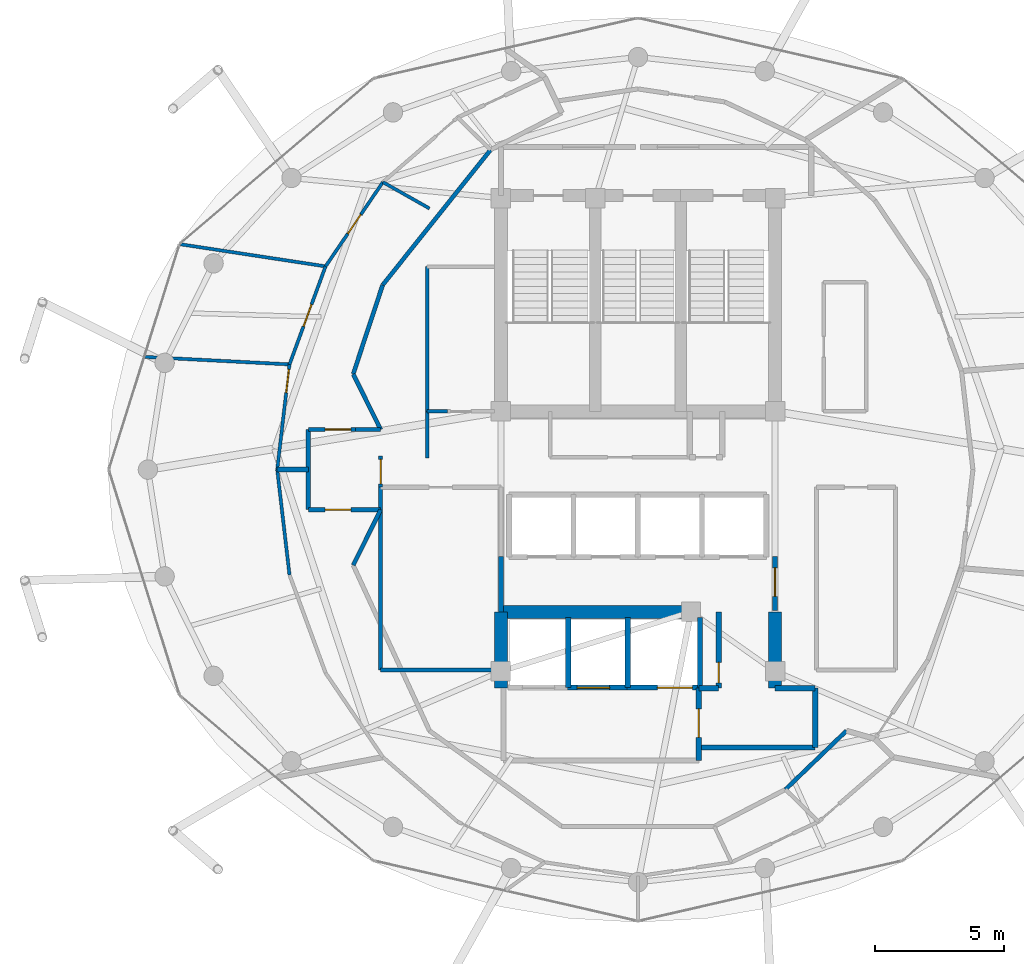
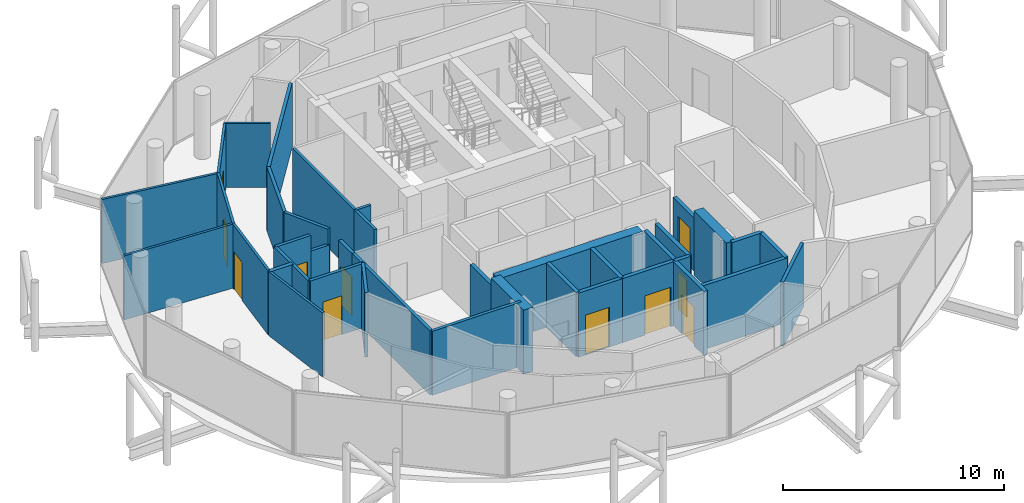
# One storey, part 20 of 24: 39 walls, 11 doors, 11 openings.
"""IFC4 building model written with IfcOpenShell, lengths in metres."""

from ifc_helpers import new_model, si_unit, direction, frame, frame_2d, origin, place, context, subcontext, project, spatial, rectangle, extrude, material, layer, layer_set, type_object, element, fill, save


model = new_model("IFC4")

# Units and contexts
model_context = context("Model", 3, precision=1e-05, world=origin(), true_north=direction((0.0, 1.0)))
body_context = subcontext(model_context, "Body", "Model", "MODEL_VIEW")
ifc_project = project(units=[si_unit("LENGTHUNIT", "METRE"), si_unit("AREAUNIT", "SQUARE_METRE"), si_unit("VOLUMEUNIT", "CUBIC_METRE"), si_unit("PLANEANGLEUNIT", "RADIAN"), si_unit("MASSUNIT", "GRAM", prefix="KILO")], contexts=[model_context])

# Site, building, storey
site_placement = place(None, origin())
site = spatial("IfcSite", under=ifc_project, at=site_placement, CompositionType="ELEMENT")
building_placement = place(site_placement, origin())
building = spatial("IfcBuilding", under=site, at=building_placement, Name="Nuhasar Tower", CompositionType="ELEMENT")
storey_placement = place(building_placement, frame((0.0, 0.0, 278.39990234375)))
storey = spatial("IfcBuildingStorey", under=building, at=storey_placement, Name="L69", CompositionType="ELEMENT", Elevation=278.39990234375)

# Walls
ifc_material_1 = material(Name="Concrete C50/60", Category="concrete")
ifc_layer_1 = layer(ifc_material_1, 0.5)
ifc_layer_set_1 = layer_set([ifc_layer_1], Name="Concrete C50/60")
wall_type_1 = type_object("IfcWallType", Name="WL-CORE-500", PredefinedType="SHEAR", material=ifc_layer_set_1)
for number, where, z_axis, x_axis, name in (
    (1, (33.699951171875, 18.35009765625, 0.0), (0.0, 0.0, 1.0), (0.0, 1.0, 0.0), "L69 Core Shear Wall CW-SW CW-500"),
    (2, (44.300048828125, 18.35009765625, 0.0), (0.0, 0.0, 1.0), (0.0, 1.0, 0.0), "L69 Core Shear Wall CW-SE CW-500"),
):
    element("IfcWall", number, at=place(storey_placement, frame(where, z_axis=z_axis, x_axis=x_axis)), inside=storey, type_object=wall_type_1, Name=name, PredefinedType="SHEAR", context=body_context, shape_type="SweptSolid", body=[
        extrude(rectangle(XDim=2.949951171875, YDim=0.5, at=frame_2d((1.47509765625, 0.0))), origin(), (0.0, 0.0, 1.0), 3.5400390625),
    ])
wall_1_placement = place(storey_placement, frame((33.699951171875, 21.300048828125, 0.0), z_axis=(0.0, 0.0, 1.0), x_axis=(1.0, 0.0, 0.0)))
element("IfcWall", 3, at=wall_1_placement, inside=storey, type_object=wall_type_1, Name="L69 Core Shear Wall CW-S1 CW-500", PredefinedType="SHEAR", context=body_context, shape_type="SweptSolid", body=[
    extrude(rectangle(XDim=7.550048828125, YDim=0.5, at=frame_2d((3.77490234375, 0.0))), origin(), (0.0, 0.0, 1.0), 3.5400390625),
])
ifc_material_2 = material(Name="Gypsum Board", Category="gypsum")
ifc_layer_2 = layer(ifc_material_2, 0.159912109375)
ifc_layer_set_2 = layer_set([ifc_layer_2], Name="Gypsum Board")
wall_type_2 = type_object("IfcWallType", Name="WL-CORR-160", PredefinedType="PARTITIONING", material=ifc_layer_set_2)
wall_2_placement = place(storey_placement, frame((29.050048828125, 19.050048828125, 0.0), z_axis=(0.0, 0.0, 1.0), x_axis=(1.0, 0.0, 0.0)))
element("IfcWall", 4, at=wall_2_placement, inside=storey, type_object=wall_type_2, Name="L69 Interior Partition RECL-B1-S", PredefinedType="PARTITIONING", context=body_context, shape_type="SweptSolid", body=[
    extrude(rectangle(XDim=4.64990234375, YDim=0.159912109375, at=frame_2d((2.324951171875, 0.0))), origin(), (0.0, 0.0, 1.0), 3.5400390625),
])
wall_3_placement = place(storey_placement, frame((29.050048828125, 19.050048828125, 0.0), z_axis=(0.0, 0.0, 1.0), x_axis=(0.0, 1.0, 0.0)))
element("IfcWall", 5, at=wall_3_placement, inside=storey, type_object=wall_type_2, Name="L69 Interior Partition RECL-B1-W", PredefinedType="PARTITIONING", context=body_context, shape_type="SweptSolid", body=[
    extrude(rectangle(XDim=7.070068359375, YDim=0.159912109375, at=frame_2d((3.53515625, 0.0))), origin(), (0.0, 0.0, 1.0), 3.5400390625),
])

# Wall, opening, door
wall_4_placement = place(storey_placement, frame((29.050048828125, 26.1201171875, 0.0), z_axis=(0.0, 0.0, 1.0), x_axis=(0.0, 1.0, 0.0)))
wall_4 = element("IfcWall", 6, at=wall_4_placement, inside=storey, type_object=wall_type_2, Name="L69 Interior Partition WVEST-E", PredefinedType="PARTITIONING", context=body_context, shape_type="SweptSolid", body=[
    extrude(rectangle(XDim=1.199951171875, YDim=0.159912109375, at=frame_2d((0.60009765625, 0.0))), origin(), (0.0, 0.0, 1.0), 3.5400390625),
])
opening_1_placement = place(wall_4_placement, frame((0.125, 0.0, 0.0)))
opening_1 = element("IfcOpeningElement", 7, at=opening_1_placement, cuts=wall_4, Name="Opening DO-01", PredefinedType="OPENING", context=body_context, shape_type="SweptSolid", body=[
    extrude(rectangle(XDim=0.949951171875, YDim=2.14990234375, at=frame_2d((0.47509765625, 1.074951171875))), frame((0.0, 0.08984375, 0.0), z_axis=(0.0, -1.0, 0.0), x_axis=(1.0, 0.0, 0.0)), (0.0, 0.0, 1.0), 0.179931640625),
])
ifc_material_3 = material(Name="Timber Oak", Category="wood")
door_type_1 = type_object("IfcDoorType", Name="DR-OFFICE-FD30-950", OperationType="NOTDEFINED", PredefinedType="DOOR", material=ifc_material_3)
door_1_placement = place(opening_1_placement, origin())
door_1 = element("IfcDoor", 8, at=door_1_placement, inside=storey, type_object=door_type_1, Name="L69 West Arrival Foyer Core Door", OperationType="SINGLE_SWING_RIGHT", OverallHeight=2.14990234375, OverallWidth=0.949951171875, PredefinedType="DOOR", context=body_context, shape_type="SweptSolid", body=[
    extrude(rectangle(XDim=0.949951171875, YDim=2.14990234375, at=frame_2d((0.47509765625, 1.074951171875))), frame((0.0, 0.02490234375, 0.0), z_axis=(0.0, -1.0, 0.0), x_axis=(1.0, 0.0, 0.0)), (0.0, 0.0, 1.0), 0.050048828125),
])
fill(opening_1, door_1)

# Walls
wall_5_placement = place(storey_placement, frame((33.300048828125, 39.1669921875, 0.0), z_axis=(0.0, 0.0, 1.0), x_axis=(-0.623915746766, -0.781491612839, 0.0)))
element("IfcWall", 9, at=wall_5_placement, inside=storey, type_object=wall_type_2, Name="L69 Interior Partition UWEST-CORE-N2-16", PredefinedType="PARTITIONING", context=body_context, shape_type="SweptSolid", body=[
    extrude(rectangle(XDim=6.6884765625, YDim=0.159912109375, at=frame_2d((3.34423828125, 0.0))), origin(), (0.0, 0.0, 1.0), 3.5400390625),
])
wall_6_placement = place(storey_placement, frame((29.126953125, 33.93994140625, 0.0), z_axis=(0.0, 0.0, 1.0), x_axis=(-0.313985571683, -0.949427754374, 0.0)))
element("IfcWall", 10, at=wall_6_placement, inside=storey, type_object=wall_type_2, Name="L69 Interior Partition UWEST-CORE-N2-20", PredefinedType="PARTITIONING", context=body_context, shape_type="SweptSolid", body=[
    extrude(rectangle(XDim=3.627197265625, YDim=0.159912109375, at=frame_2d((1.8134765625, 0.0))), origin(), (0.0, 0.0, 1.0), 3.5400390625),
])
wall_7_placement = place(storey_placement, frame((44.699951171875, 14.43310546875, 0.0), z_axis=(0.0, 0.0, 1.0), x_axis=(0.72090897908, 0.693029756851, 0.0)))
element("IfcWall", 11, at=wall_7_placement, inside=storey, type_object=wall_type_2, Name="L69 Interior Partition UWEST-CORE-S2-40", PredefinedType="PARTITIONING", context=body_context, shape_type="SweptSolid", body=[
    extrude(rectangle(XDim=3.275146484375, YDim=0.159912109375, at=frame_2d((1.6376953125, 0.0))), origin(), (0.0, 0.0, 1.0), 3.5400390625),
])

# Wall, opening, door
wall_8_placement = place(storey_placement, frame((26.25, 28.35009765625, 0.0), z_axis=(0.0, 0.0, 1.0), x_axis=(1.0, 0.0, 0.0)))
wall_8 = element("IfcWall", 12, at=wall_8_placement, inside=storey, type_object=wall_type_2, Name="L69 Interior Partition WVEST-N", PredefinedType="PARTITIONING", context=body_context, shape_type="SweptSolid", body=[
    extrude(rectangle(XDim=1.820068359375, YDim=0.159912109375, at=frame_2d((0.91015625, 0.0))), origin(), (0.0, 0.0, 1.0), 3.5400390625),
])
opening_2_placement = place(wall_8_placement, frame((0.64990234375, 0.0, 0.0)))
opening_2 = element("IfcOpeningElement", 13, at=opening_2_placement, cuts=wall_8, Name="Opening DU-02", PredefinedType="OPENING", context=body_context, shape_type="SweptSolid", body=[
    extrude(rectangle(XDim=1.0, YDim=2.14990234375, at=frame_2d((0.5, 1.074951171875))), frame((0.0, 0.08984375, 0.0), z_axis=(0.0, -1.0, 0.0), x_axis=(1.0, 0.0, 0.0)), (0.0, 0.0, 1.0), 0.179931640625),
])
door_type_2 = type_object("IfcDoorType", Name="DR-FLAT-FD60-1000", OperationType="NOTDEFINED", PredefinedType="DOOR", material=ifc_material_3)
door_2_placement = place(opening_2_placement, origin())
door_2 = element("IfcDoor", 14, at=door_2_placement, inside=storey, type_object=door_type_2, Name="L69 North-West Sky Home Entrance", OperationType="SINGLE_SWING_LEFT", OverallHeight=2.14990234375, OverallWidth=1.0, PredefinedType="DOOR", context=body_context, shape_type="SweptSolid", body=[
    extrude(rectangle(XDim=1.0, YDim=2.14990234375, at=frame_2d((0.5, 1.074951171875))), frame((0.0, 0.02490234375, 0.0), z_axis=(0.0, -1.0, 0.0), x_axis=(1.0, 0.0, 0.0)), (0.0, 0.0, 1.0), 0.050048828125),
])
fill(opening_2, door_2)

# Wall
wall_9_placement = place(storey_placement, frame((28.070068359375, 28.35009765625, 0.0), z_axis=(0.0, 0.0, 1.0), x_axis=(1.0, 0.0, 0.0)))
element("IfcWall", 15, at=wall_9_placement, inside=storey, type_object=wall_type_2, Name="L69 Interior Partition WVEST-N", PredefinedType="PARTITIONING", context=body_context, shape_type="SweptSolid", body=[
    extrude(rectangle(XDim=0.97998046875, YDim=0.159912109375, at=frame_2d((0.489990234375, 0.0))), origin(), (0.0, 0.0, 1.0), 2.68017578125),
])

# Wall, opening, door
wall_10_placement = place(storey_placement, frame((26.25, 25.25, 0.0), z_axis=(0.0, 0.0, 1.0), x_axis=(1.0, 0.0, 0.0)))
wall_10 = element("IfcWall", 16, at=wall_10_placement, inside=storey, type_object=wall_type_2, Name="L69 Interior Partition WVEST-S", PredefinedType="PARTITIONING", context=body_context, shape_type="SweptSolid", body=[
    extrude(rectangle(XDim=2.800048828125, YDim=0.159912109375, at=frame_2d((1.39990234375, 0.0))), origin(), (0.0, 0.0, 1.0), 3.5400390625),
])
opening_3_placement = place(wall_10_placement, frame((0.64990234375, 0.0, 0.0)))
opening_3 = element("IfcOpeningElement", 17, at=opening_3_placement, cuts=wall_10, Name="Opening DU-02", PredefinedType="OPENING", context=body_context, shape_type="SweptSolid", body=[
    extrude(rectangle(XDim=1.0, YDim=2.14990234375, at=frame_2d((0.5, 1.074951171875))), frame((0.0, 0.08984375, 0.0), z_axis=(0.0, -1.0, 0.0), x_axis=(1.0, 0.0, 0.0)), (0.0, 0.0, 1.0), 0.179931640625),
])
door_3_placement = place(opening_3_placement, origin())
door_3 = element("IfcDoor", 18, at=door_3_placement, inside=storey, type_object=door_type_2, Name="L69 South-West Sky Home Entrance", OperationType="SINGLE_SWING_LEFT", OverallHeight=2.14990234375, OverallWidth=1.0, PredefinedType="DOOR", context=body_context, shape_type="SweptSolid", body=[
    extrude(rectangle(XDim=1.0, YDim=2.14990234375, at=frame_2d((0.5, 1.074951171875))), frame((0.0, 0.02490234375, 0.0), z_axis=(0.0, -1.0, 0.0), x_axis=(1.0, 0.0, 0.0)), (0.0, 0.0, 1.0), 0.050048828125),
])
fill(opening_3, door_3)

# Walls
wall_11_placement = place(storey_placement, frame((26.25, 25.25, 0.0), z_axis=(0.0, 0.0, 1.0), x_axis=(0.0, 1.0, 0.0)))
element("IfcWall", 19, at=wall_11_placement, inside=storey, type_object=wall_type_2, Name="L69 Interior Partition WVEST-W", PredefinedType="PARTITIONING", context=body_context, shape_type="SweptSolid", body=[
    extrude(rectangle(XDim=3.10009765625, YDim=0.159912109375, at=frame_2d((1.550048828125, 0.0))), origin(), (0.0, 0.0, 1.0), 3.5400390625),
])
for number, where, z_axis, x_axis, name in (
    (20, (27.988037109375, 30.49609375, 0.0), (0.0, 0.0, 1.0), (0.443539160525, -0.896254993337, 0.0), "L69 Interior Partition WVEST-CN"),
    (21, (27.988037109375, 23.10400390625, 0.0), (0.0, 0.0, 1.0), (0.443539160525, 0.896254993337, 0.0), "L69 Interior Partition WVEST-CS"),
):
    element("IfcWall", number, at=place(storey_placement, frame(where, z_axis=z_axis, x_axis=x_axis)), inside=storey, type_object=wall_type_2, Name=name, PredefinedType="PARTITIONING", context=body_context, shape_type="SweptSolid", body=[
        extrude(rectangle(XDim=2.394287109375, YDim=0.159912109375, at=frame_2d((1.197265625, 0.0))), origin(), (0.0, 0.0, 1.0), 3.5400390625),
    ])
ifc_material_4 = material(Name="Concrete C45/55", Category="concrete")
ifc_layer_3 = layer(ifc_material_4, 0.199951171875)
ifc_layer_set_3 = layer_set([ifc_layer_3], Name="Concrete C45/55")
wall_type_3 = type_object("IfcWallType", Name="WL-LOBBY-200", PredefinedType="SOLIDWALL", material=ifc_layer_set_3)
wall_12_placement = place(storey_placement, frame((33.699951171875, 21.300048828125, 0.0), z_axis=(0.0, 0.0, 1.0), x_axis=(0.0, 1.0, 0.0)))
element("IfcWall", 22, at=wall_12_placement, inside=storey, type_object=wall_type_3, Name="L69 Interior Partition LLBH-W", PredefinedType="SOLIDWALL", context=body_context, shape_type="SweptSolid", body=[
    extrude(rectangle(XDim=2.14990234375, YDim=0.199951171875, at=frame_2d((1.074951171875, 0.0))), origin(), (0.0, 0.0, 1.0), 2.925048828125),
])

# Wall, opening, door
wall_13_placement = place(storey_placement, frame((44.300048828125, 21.35009765625, 0.0), z_axis=(0.0, 0.0, 1.0), x_axis=(0.0, 1.0, 0.0)))
wall_13 = element("IfcWall", 23, at=wall_13_placement, inside=storey, type_object=wall_type_3, Name="L69 Interior Partition LLBH-E", PredefinedType="SOLIDWALL", context=body_context, shape_type="SweptSolid", body=[
    extrude(rectangle(XDim=2.099853515625, YDim=0.199951171875, at=frame_2d((1.0498046875, 0.0))), origin(), (0.0, 0.0, 1.0), 2.925048828125),
])
opening_4_placement = place(wall_13_placement, frame((0.550048828125, 0.0, 0.0)))
opening_4 = element("IfcOpeningElement", 24, at=opening_4_placement, cuts=wall_13, Name="Opening DS-02", PredefinedType="OPENING", context=body_context, shape_type="SweptSolid", body=[
    extrude(rectangle(XDim=1.10009765625, YDim=2.14990234375, at=frame_2d((0.550048828125, 1.074951171875))), frame((0.0, 0.10986328125, 0.0), z_axis=(0.0, -1.0, 0.0), x_axis=(1.0, 0.0, 0.0)), (0.0, 0.0, 1.0), 0.219970703125),
])
ifc_material_5 = material(Name="Steel S355", Category="steel")
door_type_3 = type_object("IfcDoorType", Name="DR-FFL-FD120-1100", OperationType="NOTDEFINED", PredefinedType="DOOR", material=ifc_material_5)
door_4_placement = place(opening_4_placement, origin())
door_4 = element("IfcDoor", 25, at=door_4_placement, inside=storey, type_object=door_type_3, Name="L69 High-Rise Lobby East Door", OperationType="SINGLE_SWING_RIGHT", OverallHeight=2.14990234375, OverallWidth=1.10009765625, PredefinedType="DOOR", context=body_context, shape_type="SweptSolid", body=[
    extrude(rectangle(XDim=1.10009765625, YDim=2.14990234375, at=frame_2d((0.550048828125, 1.074951171875))), frame((0.0, 0.02490234375, 0.0), z_axis=(0.0, -1.0, 0.0), x_axis=(1.0, 0.0, 0.0)), (0.0, 0.0, 1.0), 0.050048828125),
])
fill(opening_4, door_4)

wall_14_placement = place(storey_placement, frame((41.35009765625, 15.550048828125, 0.0), z_axis=(0.0, 0.0, 1.0), x_axis=(0.0, 1.0, 0.0)))
wall_14 = element("IfcWall", 26, at=wall_14_placement, inside=storey, type_object=wall_type_3, Name="L69 Interior Partition FFL-E", PredefinedType="SOLIDWALL", context=body_context, shape_type="SweptSolid", body=[
    extrude(rectangle(XDim=2.800048828125, YDim=0.199951171875, at=frame_2d((1.39990234375, 0.0))), origin(), (0.0, 0.0, 1.0), 3.5400390625),
])
opening_5_placement = place(wall_14_placement, frame((0.89990234375, 0.0, 0.0)))
opening_5 = element("IfcOpeningElement", 27, at=opening_5_placement, cuts=wall_14, Name="Opening DS-02", PredefinedType="OPENING", context=body_context, shape_type="SweptSolid", body=[
    extrude(rectangle(XDim=1.10009765625, YDim=2.14990234375, at=frame_2d((0.550048828125, 1.074951171875))), frame((0.0, 0.10986328125, 0.0), z_axis=(0.0, -1.0, 0.0), x_axis=(1.0, 0.0, 0.0)), (0.0, 0.0, 1.0), 0.219970703125),
])
door_5_placement = place(opening_5_placement, origin())
door_5 = element("IfcDoor", 28, at=door_5_placement, inside=storey, type_object=door_type_3, Name="L69 Firefighting Lobby Door", OperationType="SINGLE_SWING_RIGHT", OverallHeight=2.14990234375, OverallWidth=1.10009765625, PredefinedType="DOOR", context=body_context, shape_type="SweptSolid", body=[
    extrude(rectangle(XDim=1.10009765625, YDim=2.14990234375, at=frame_2d((0.550048828125, 1.074951171875))), frame((0.0, 0.02490234375, 0.0), z_axis=(0.0, -1.0, 0.0), x_axis=(1.0, 0.0, 0.0)), (0.0, 0.0, 1.0), 0.050048828125),
])
fill(opening_5, door_5)

# Walls
wall_15_placement = place(storey_placement, frame((41.35009765625, 16.050048828125, 0.0), z_axis=(0.0, 0.0, 1.0), x_axis=(1.0, 0.0, 0.0)))
element("IfcWall", 29, at=wall_15_placement, inside=storey, type_object=wall_type_3, Name="L69 Interior Partition SVLV-S", PredefinedType="SOLIDWALL", context=body_context, shape_type="SweptSolid", body=[
    extrude(rectangle(XDim=4.5, YDim=0.199951171875, at=frame_2d((2.25, 0.0))), origin(), (0.0, 0.0, 1.0), 3.5400390625),
])
wall_16_placement = place(storey_placement, frame((45.85009765625, 16.050048828125, 0.0), z_axis=(0.0, 0.0, 1.0), x_axis=(0.0, 1.0, 0.0)))
element("IfcWall", 30, at=wall_16_placement, inside=storey, type_object=wall_type_3, Name="L69 Interior Partition SVLV-E", PredefinedType="SOLIDWALL", context=body_context, shape_type="SweptSolid", body=[
    extrude(rectangle(XDim=2.300048828125, YDim=0.199951171875, at=frame_2d((1.14990234375, 0.0))), origin(), (0.0, 0.0, 1.0), 3.5400390625),
])
wall_17_placement = place(storey_placement, frame((44.300048828125, 18.35009765625, 0.0), z_axis=(0.0, 0.0, 1.0), x_axis=(1.0, 0.0, 0.0)))
element("IfcWall", 31, at=wall_17_placement, inside=storey, type_object=wall_type_3, Name="L69 Interior Partition SVLV-N", PredefinedType="SOLIDWALL", context=body_context, shape_type="SweptSolid", body=[
    extrude(rectangle(XDim=1.550048828125, YDim=0.199951171875, at=frame_2d((0.77490234375, 0.0))), origin(), (0.0, 0.0, 1.0), 3.5400390625),
])
ifc_layer_4 = layer(ifc_material_2, 0.125)
ifc_layer_set_4 = layer_set([ifc_layer_4], Name="Gypsum Board")
wall_type_4 = type_object("IfcWallType", Name="WL-PART-125", PredefinedType="PARTITIONING", material=ifc_layer_set_4)
wall_18_placement = place(storey_placement, frame((30.93896484375, 36.89697265625, 0.0), z_axis=(0.0, 0.0, 1.0), x_axis=(-0.870569425254, 0.492045603387, 0.0)))
element("IfcWall", 32, at=wall_18_placement, inside=storey, type_object=wall_type_4, Name="L69 Interior Partition USI-1-KD", PredefinedType="PARTITIONING", context=body_context, shape_type="SweptSolid", body=[
    extrude(rectangle(XDim=2.071044921875, YDim=0.125, at=frame_2d((1.03564453125, 0.0))), origin(), (0.0, 0.0, 1.0), 3.5400390625),
])

# Wall, opening, door
wall_19_placement = place(storey_placement, frame((26.9189453125, 34.659912109375, 0.0), z_axis=(0.0, 0.0, 1.0), x_axis=(0.562811699753, 0.826585138157, 0.0)))
wall_19 = element("IfcWall", 33, at=wall_19_placement, inside=storey, type_object=wall_type_4, Name="L69 Interior Partition USM-1-D-18", PredefinedType="PARTITIONING", context=body_context, shape_type="SweptSolid", body=[
    extrude(rectangle(XDim=3.939208984375, YDim=0.125, at=frame_2d((1.9697265625, 0.0))), origin(), (0.0, 0.0, 1.0), 3.5400390625),
])
opening_6_placement = place(wall_19_placement, frame((1.52001953125, 0.0, 0.0)))
opening_6 = element("IfcOpeningElement", 34, at=opening_6_placement, cuts=wall_19, Name="Opening DR-01", PredefinedType="OPENING", context=body_context, shape_type="SweptSolid", body=[
    extrude(rectangle(XDim=0.89990234375, YDim=2.10009765625, at=frame_2d((0.449951171875, 1.050048828125))), frame((0.0, 0.072509765625, 0.0), z_axis=(0.0, -1.0, 0.0), x_axis=(1.0, 0.0, 0.0)), (0.0, 0.0, 1.0), 0.14501953125),
])
door_type_4 = type_object("IfcDoorType", Name="DR-ROOM-900", OperationType="NOTDEFINED", PredefinedType="DOOR", material=ifc_material_3)
door_6_placement = place(opening_6_placement, origin())
door_6 = element("IfcDoor", 35, at=door_6_placement, inside=storey, type_object=door_type_4, Name="L69 North-West Sky Home Master Bedroom Door", OperationType="SINGLE_SWING_LEFT", OverallHeight=2.10009765625, OverallWidth=0.89990234375, PredefinedType="DOOR", context=body_context, shape_type="SweptSolid", body=[
    extrude(rectangle(XDim=0.89990234375, YDim=2.10009765625, at=frame_2d((0.449951171875, 1.050048828125))), frame((0.0, 0.02490234375, 0.0), z_axis=(0.0, -1.0, 0.0), x_axis=(1.0, 0.0, 0.0)), (0.0, 0.0, 1.0), 0.050048828125),
])
fill(opening_6, door_6)

wall_20_placement = place(storey_placement, frame((25.52490234375, 30.868896484375, 0.0), z_axis=(0.0, 0.0, 1.0), x_axis=(0.345128286029, 0.938555521097, 0.0)))
wall_20 = element("IfcWall", 36, at=wall_20_placement, inside=storey, type_object=wall_type_4, Name="L69 Interior Partition USM-1-D-20", PredefinedType="PARTITIONING", context=body_context, shape_type="SweptSolid", body=[
    extrude(rectangle(XDim=4.039306640625, YDim=0.125, at=frame_2d((2.01953125, 0.0))), origin(), (0.0, 0.0, 1.0), 3.5400390625),
])
opening_7_placement = place(wall_20_placement, frame((1.570068359375, 0.0, 0.0)))
opening_7 = element("IfcOpeningElement", 37, at=opening_7_placement, cuts=wall_20, Name="Opening DR-01", PredefinedType="OPENING", context=body_context, shape_type="SweptSolid", body=[
    extrude(rectangle(XDim=0.89990234375, YDim=2.10009765625, at=frame_2d((0.449951171875, 1.050048828125))), frame((0.0, 0.072509765625, 0.0), z_axis=(0.0, -1.0, 0.0), x_axis=(1.0, 0.0, 0.0)), (0.0, 0.0, 1.0), 0.14501953125),
])
door_7_placement = place(opening_7_placement, origin())
door_7 = element("IfcDoor", 38, at=door_7_placement, inside=storey, type_object=door_type_4, Name="L69 North-West Sky Home Study Door", OperationType="SINGLE_SWING_RIGHT", OverallHeight=2.10009765625, OverallWidth=0.89990234375, PredefinedType="DOOR", context=body_context, shape_type="SweptSolid", body=[
    extrude(rectangle(XDim=0.89990234375, YDim=2.10009765625, at=frame_2d((0.449951171875, 1.050048828125))), frame((0.0, 0.02490234375, 0.0), z_axis=(0.0, -1.0, 0.0), x_axis=(1.0, 0.0, 0.0)), (0.0, 0.0, 1.0), 0.050048828125),
])
fill(opening_7, door_7)

wall_21_placement = place(storey_placement, frame((25.050048828125, 26.800048828125, 0.0), z_axis=(0.0, 0.0, 1.0), x_axis=(0.115917937966, 0.993258793899, 0.0)))
wall_21 = element("IfcWall", 39, at=wall_21_placement, inside=storey, type_object=wall_type_4, Name="L69 Interior Partition USM-1-D-22", PredefinedType="PARTITIONING", context=body_context, shape_type="SweptSolid", body=[
    extrude(rectangle(XDim=4.096435546875, YDim=0.125, at=frame_2d((2.04833984375, 0.0))), origin(), (0.0, 0.0, 1.0), 3.5400390625),
])
opening_8_placement = place(wall_21_placement, frame((2.9970703125, 0.0, 0.0)))
opening_8 = element("IfcOpeningElement", 40, at=opening_8_placement, cuts=wall_21, Name="Opening DR-01", PredefinedType="OPENING", context=body_context, shape_type="SweptSolid", body=[
    extrude(rectangle(XDim=0.89990234375, YDim=2.10009765625, at=frame_2d((0.449951171875, 1.050048828125))), frame((0.0, 0.072509765625, 0.0), z_axis=(0.0, -1.0, 0.0), x_axis=(1.0, 0.0, 0.0)), (0.0, 0.0, 1.0), 0.14501953125),
])
door_8_placement = place(opening_8_placement, origin())
door_8 = element("IfcDoor", 41, at=door_8_placement, inside=storey, type_object=door_type_4, Name="L69 North-West Sky Home Living Door", OperationType="SINGLE_SWING_RIGHT", OverallHeight=2.10009765625, OverallWidth=0.89990234375, PredefinedType="DOOR", context=body_context, shape_type="SweptSolid", body=[
    extrude(rectangle(XDim=0.89990234375, YDim=2.10009765625, at=frame_2d((0.449951171875, 1.050048828125))), frame((0.0, 0.02490234375, 0.0), z_axis=(0.0, -1.0, 0.0), x_axis=(1.0, 0.0, 0.0)), (0.0, 0.0, 1.0), 0.050048828125),
])
fill(opening_8, door_8)

# Walls
wall_22_placement = place(storey_placement, frame((25.050048828125, 26.800048828125, 0.0), z_axis=(0.0, 0.0, 1.0), x_axis=(0.115911076473, -0.993259594643, 0.0)))
element("IfcWall", 42, at=wall_22_placement, inside=storey, type_object=wall_type_4, Name="L69 Interior Partition USM-1-D-24", PredefinedType="PARTITIONING", context=body_context, shape_type="SweptSolid", body=[
    extrude(rectangle(XDim=4.0966796875, YDim=0.125, at=frame_2d((2.04833984375, 0.0))), origin(), (0.0, 0.0, 1.0), 3.5400390625),
])
wall_23_placement = place(storey_placement, frame((26.9189453125, 34.659912109375, 0.0), z_axis=(0.0, 0.0, 1.0), x_axis=(-0.988628020007, 0.150381641354, 0.0)))
element("IfcWall", 43, at=wall_23_placement, inside=storey, type_object=wall_type_4, Name="L69 Interior Partition USO-1-B1", PredefinedType="PARTITIONING", context=body_context, shape_type="SweptSolid", body=[
    extrude(rectangle(XDim=5.67236328125, YDim=0.125, at=frame_2d((2.836181640625, 0.0))), origin(), (0.0, 0.0, 1.0), 3.5400390625),
])
wall_24_placement = place(storey_placement, frame((25.52490234375, 30.868896484375, 0.0), z_axis=(0.0, 0.0, 1.0), x_axis=(-0.998670767361, 0.051543170428, 0.0)))
element("IfcWall", 44, at=wall_24_placement, inside=storey, type_object=wall_type_4, Name="L69 Interior Partition USO-1-B2", PredefinedType="PARTITIONING", context=body_context, shape_type="SweptSolid", body=[
    extrude(rectangle(XDim=5.589111328125, YDim=0.125, at=frame_2d((2.79443359375, 0.0))), origin(), (0.0, 0.0, 1.0), 3.5400390625),
])
ifc_layer_5 = layer(ifc_material_4, 0.199951171875)
ifc_layer_set_5 = layer_set([ifc_layer_5], Name="Concrete C45/55")
wall_type_5 = type_object("IfcWallType", Name="WL-SHAFT-200", PredefinedType="SOLIDWALL", material=ifc_layer_set_5)
wall_25_placement = place(storey_placement, frame((36.300048828125, 18.3701171875, 0.0), z_axis=(0.0, 0.0, 1.0), x_axis=(0.0, 1.0, 0.0)))
element("IfcWall", 45, at=wall_25_placement, inside=storey, type_object=wall_type_5, Name="L69 Interior Partition SHF-FFL-01-E", PredefinedType="SOLIDWALL", context=body_context, shape_type="SweptSolid", body=[
    extrude(rectangle(XDim=2.7099609375, YDim=0.199951171875, at=frame_2d((1.35498046875, 0.0))), origin(), (0.0, 0.0, 1.0), 3.5400390625),
])

# Wall, opening, door
wall_26_placement = place(storey_placement, frame((36.27001953125, 18.3701171875, 0.0), z_axis=(0.0, 0.0, 1.0), x_axis=(1.0, 0.0, 0.0)))
wall_26 = element("IfcWall", 46, at=wall_26_placement, inside=storey, type_object=wall_type_5, Name="L69 Interior Partition SHF-FFL-02-S", PredefinedType="SOLIDWALL", context=body_context, shape_type="SweptSolid", body=[
    extrude(rectangle(XDim=2.35986328125, YDim=0.199951171875, at=frame_2d((1.179931640625, 0.0))), origin(), (0.0, 0.0, 1.0), 3.5400390625),
])
opening_9_placement = place(wall_26_placement, frame((0.3798828125, 0.0, 0.0)))
opening_9 = element("IfcOpeningElement", 47, at=opening_9_placement, cuts=wall_26, Name="Opening LD-F02", PredefinedType="OPENING", context=body_context, shape_type="SweptSolid", body=[
    extrude(rectangle(XDim=1.25, YDim=2.199951171875, at=frame_2d((0.625, 1.10009765625))), frame((0.0, 0.10986328125, 0.0), z_axis=(0.0, -1.0, 0.0), x_axis=(1.0, 0.0, 0.0)), (0.0, 0.0, 1.0), 0.219970703125),
])
ifc_material_6 = material(Name="Stainless Steel 316L", Category="steel")
door_type_5 = type_object("IfcDoorType", Name="LD-FFL-1250", OperationType="DOUBLE_DOOR_SLIDING", PredefinedType="DOOR", material=ifc_material_6)
door_9_placement = place(opening_9_placement, origin())
door_9 = element("IfcDoor", 48, at=door_9_placement, inside=storey, type_object=door_type_5, Name="L69 Lift Landing Door FFL-02", OperationType="DOUBLE_DOOR_SLIDING", OverallHeight=2.199951171875, OverallWidth=1.25, PredefinedType="DOOR", context=body_context, shape_type="SweptSolid", body=[
    extrude(rectangle(XDim=1.25, YDim=2.199951171875, at=frame_2d((0.625, 1.10009765625))), frame((0.0, 0.02490234375, 0.0), z_axis=(0.0, -1.0, 0.0), x_axis=(1.0, 0.0, 0.0)), (0.0, 0.0, 1.0), 0.050048828125),
])
fill(opening_9, door_9)

# Wall
wall_27_placement = place(storey_placement, frame((38.60009765625, 18.3701171875, 0.0), z_axis=(0.0, 0.0, 1.0), x_axis=(0.0, 1.0, 0.0)))
element("IfcWall", 49, at=wall_27_placement, inside=storey, type_object=wall_type_5, Name="L69 Interior Partition SHF-FFL-02-E", PredefinedType="SOLIDWALL", context=body_context, shape_type="SweptSolid", body=[
    extrude(rectangle(XDim=2.7099609375, YDim=0.199951171875, at=frame_2d((1.35498046875, 0.0))), origin(), (0.0, 0.0, 1.0), 3.5400390625),
])

# Wall, opening, door
wall_28_placement = place(storey_placement, frame((38.570068359375, 18.3701171875, 0.0), z_axis=(0.0, 0.0, 1.0), x_axis=(1.0, 0.0, 0.0)))
wall_28 = element("IfcWall", 50, at=wall_28_placement, inside=storey, type_object=wall_type_5, Name="L69 Interior Partition SHF-SVL-01-S", PredefinedType="SOLIDWALL", context=body_context, shape_type="SweptSolid", body=[
    extrude(rectangle(XDim=2.829833984375, YDim=0.199951171875, at=frame_2d((1.4150390625, 0.0))), origin(), (0.0, 0.0, 1.0), 3.5400390625),
])
opening_10_placement = place(wall_28_placement, frame((1.179931640625, 0.0, 0.0)))
opening_10 = element("IfcOpeningElement", 51, at=opening_10_placement, cuts=wall_28, Name="Opening LD-S01", PredefinedType="OPENING", context=body_context, shape_type="SweptSolid", body=[
    extrude(rectangle(XDim=1.35009765625, YDim=2.179931640625, at=frame_2d((0.675048828125, 1.08984375))), frame((0.0, 0.10986328125, 0.0), z_axis=(0.0, -1.0, 0.0), x_axis=(1.0, 0.0, 0.0)), (0.0, 0.0, 1.0), 0.219970703125),
])
door_type_6 = type_object("IfcDoorType", Name="LD-SVL-1350", OperationType="DOUBLE_DOOR_SLIDING", PredefinedType="DOOR", material=ifc_material_6)
door_10_placement = place(opening_10_placement, origin())
door_10 = element("IfcDoor", 52, at=door_10_placement, inside=storey, type_object=door_type_6, Name="L69 Lift Landing Door SVL-01", OperationType="DOUBLE_DOOR_SLIDING", OverallHeight=2.179931640625, OverallWidth=1.35009765625, PredefinedType="DOOR", context=body_context, shape_type="SweptSolid", body=[
    extrude(rectangle(XDim=1.35009765625, YDim=2.179931640625, at=frame_2d((0.675048828125, 1.08984375))), frame((0.0, 0.02490234375, 0.0), z_axis=(0.0, -1.0, 0.0), x_axis=(1.0, 0.0, 0.0)), (0.0, 0.0, 1.0), 0.050048828125),
])
fill(opening_10, door_10)

# Wall
wall_29_placement = place(storey_placement, frame((41.39990234375, 18.3701171875, 0.0), z_axis=(0.0, 0.0, 1.0), x_axis=(0.0, 1.0, 0.0)))
element("IfcWall", 53, at=wall_29_placement, inside=storey, type_object=wall_type_5, Name="L69 Interior Partition SHF-SVL-01-E", PredefinedType="SOLIDWALL", context=body_context, shape_type="SweptSolid", body=[
    extrude(rectangle(XDim=2.7099609375, YDim=0.199951171875, at=frame_2d((1.35498046875, 0.0))), origin(), (0.0, 0.0, 1.0), 3.5400390625),
])

# Wall, opening, door
wall_30_placement = place(storey_placement, frame((42.1201171875, 18.35009765625, 0.0), z_axis=(0.0, 0.0, 1.0), x_axis=(0.0, 1.0, 0.0)))
wall_30 = element("IfcWall", 54, at=wall_30_placement, inside=storey, type_object=wall_type_5, Name="L69 Interior Partition RSR-E", PredefinedType="SOLIDWALL", context=body_context, shape_type="SweptSolid", body=[
    extrude(rectangle(XDim=2.949951171875, YDim=0.199951171875, at=frame_2d((1.47509765625, 0.0))), origin(), (0.0, 0.0, 1.0), 3.5400390625),
])
opening_11_placement = place(wall_30_placement, frame((0.199951171875, 0.0, 0.0)))
opening_11 = element("IfcOpeningElement", 55, at=opening_11_placement, cuts=wall_30, Name="Opening DM-01", PredefinedType="OPENING", context=body_context, shape_type="SweptSolid", body=[
    extrude(rectangle(XDim=0.800048828125, YDim=2.050048828125, at=frame_2d((0.39990234375, 1.02490234375))), frame((0.0, 0.10986328125, 0.0), z_axis=(0.0, -1.0, 0.0), x_axis=(1.0, 0.0, 0.0)), (0.0, 0.0, 1.0), 0.219970703125),
])
door_type_7 = type_object("IfcDoorType", Name="DR-RISER-FD60-800", OperationType="NOTDEFINED", PredefinedType="DOOR", material=ifc_material_5)
door_11_placement = place(opening_11_placement, origin())
door_11 = element("IfcDoor", 56, at=door_11_placement, inside=storey, type_object=door_type_7, Name="L69 MEP Riser Access Door", OperationType="SINGLE_SWING_LEFT", OverallHeight=2.050048828125, OverallWidth=0.800048828125, PredefinedType="DOOR", context=body_context, shape_type="SweptSolid", body=[
    extrude(rectangle(XDim=0.800048828125, YDim=2.050048828125, at=frame_2d((0.39990234375, 1.02490234375))), frame((0.0, 0.02490234375, 0.0), z_axis=(0.0, -1.0, 0.0), x_axis=(1.0, 0.0, 0.0)), (0.0, 0.0, 1.0), 0.050048828125),
])
fill(opening_11, door_11)

# Walls
wall_31_placement = place(storey_placement, frame((41.35009765625, 18.35009765625, 0.0), z_axis=(0.0, 0.0, 1.0), x_axis=(1.0, 0.0, 0.0)))
element("IfcWall", 57, at=wall_31_placement, inside=storey, type_object=wall_type_5, Name="L69 Interior Partition RSR-S", PredefinedType="SOLIDWALL", context=body_context, shape_type="SweptSolid", body=[
    extrude(rectangle(XDim=0.77001953125, YDim=0.199951171875, at=frame_2d((0.385009765625, 0.0))), origin(), (0.0, 0.0, 1.0), 3.5400390625),
])
ifc_material_7 = material(Name="Concrete C40/50 precast", Category="concrete")
ifc_layer_6 = layer(ifc_material_7, 0.199951171875)
ifc_layer_set_6 = layer_set([ifc_layer_6], Name="Concrete C40/50 precast")
wall_type_6 = type_object("IfcWallType", Name="WL-UNIT-200", PredefinedType="PARTITIONING", material=ifc_layer_set_6)
wall_32_placement = place(storey_placement, frame((26.25, 26.800048828125, 0.0), z_axis=(0.0, 0.0, 1.0), x_axis=(-1.0, 0.0, 0.0)))
element("IfcWall", 58, at=wall_32_placement, inside=storey, type_object=wall_type_6, Name="L69 Interior Partition UWEST-PARTY-IN", PredefinedType="PARTITIONING", context=body_context, shape_type="SweptSolid", body=[
    extrude(rectangle(XDim=1.199951171875, YDim=0.199951171875, at=frame_2d((0.60009765625, 0.0))), origin(), (0.0, 0.0, 1.0), 3.5400390625),
])
ifc_layer_7 = layer(ifc_material_7, 0.139892578125)
ifc_layer_set_7 = layer_set([ifc_layer_7], Name="Concrete C40/50 precast")
wall_type_7 = type_object("IfcWallType", Name="WL-WET-140", PredefinedType="PARTITIONING", material=ifc_layer_set_7)
wall_33_placement = place(storey_placement, frame((30.85009765625, 27.239990234375, 0.0), z_axis=(0.0, 0.0, 1.0), x_axis=(0.0, 1.0, 0.0)))
element("IfcWall", 59, at=wall_33_placement, inside=storey, type_object=wall_type_7, Name="L69 Interior Partition K3-FOY-W", PredefinedType="PARTITIONING", context=body_context, shape_type="SweptSolid", body=[
    extrude(rectangle(XDim=1.81005859375, YDim=0.139892578125, at=frame_2d((0.905029296875, 0.0))), origin(), (0.0, 0.0, 1.0), 3.5400390625),
])
wall_34_placement = place(storey_placement, frame((30.85009765625, 29.050048828125, 0.0), z_axis=(0.0, 0.0, 1.0), x_axis=(1.0, 0.0, 0.0)))
element("IfcWall", 60, at=wall_34_placement, inside=storey, type_object=wall_type_7, Name="L69 Interior Partition K3-NW-S", PredefinedType="PARTITIONING", context=body_context, shape_type="SweptSolid", body=[
    extrude(rectangle(XDim=0.77978515625, YDim=0.139892578125, at=frame_2d((0.389892578125, 0.0))), origin(), (0.0, 0.0, 1.0), 3.5400390625),
])
wall_35_placement = place(storey_placement, frame((30.85009765625, 29.050048828125, 0.0), z_axis=(0.0, 0.0, 1.0), x_axis=(0.0, 1.0, 0.0)))
element("IfcWall", 61, at=wall_35_placement, inside=storey, type_object=wall_type_7, Name="L69 Interior Partition K3-NW-W", PredefinedType="PARTITIONING", context=body_context, shape_type="SweptSolid", body=[
    extrude(rectangle(XDim=5.599853515625, YDim=0.139892578125, at=frame_2d((2.7998046875, 0.0))), origin(), (0.0, 0.0, 1.0), 3.5400390625),
])

save(model, "model.ifc")
